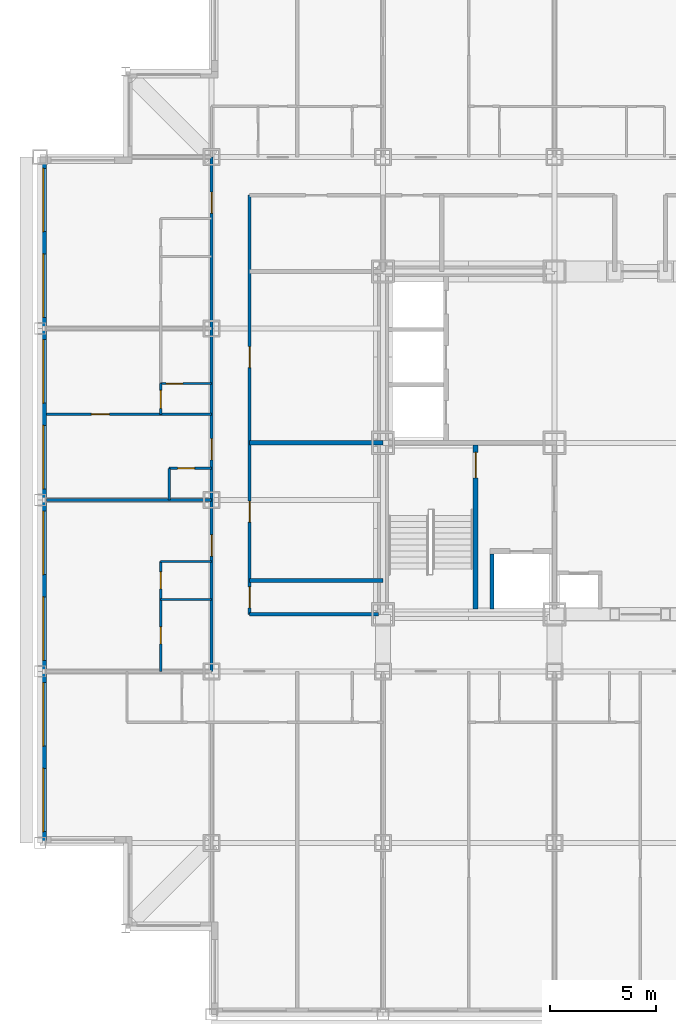
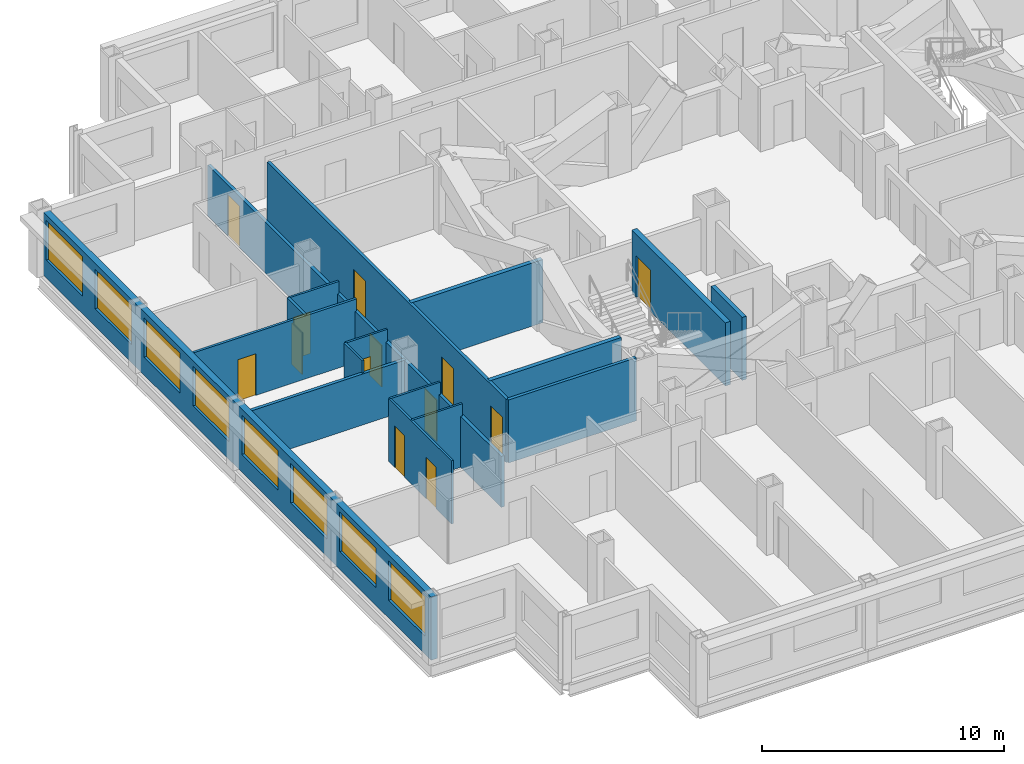
# One storey, part 5 of 13: 17 walls, 13 doors, 8 windows, 21 openings.
"""IFC4 building model written with IfcOpenShell, lengths in metres."""

from ifc_helpers import new_model, si_unit, direction, frame, frame_2d, origin, place, context, subcontext, project, spatial, rectangle, extrude, material, layer, layer_set, type_object, element, fill, save


model = new_model("IFC4")

# Units and contexts
model_context = context("Model", 3, precision=1e-05, world=origin(), true_north=direction((0.0, 1.0)))
body_context = subcontext(model_context, "Body", "Model", "MODEL_VIEW")
ifc_project = project(units=[si_unit("LENGTHUNIT", "METRE"), si_unit("AREAUNIT", "SQUARE_METRE"), si_unit("VOLUMEUNIT", "CUBIC_METRE"), si_unit("PLANEANGLEUNIT", "RADIAN"), si_unit("MASSUNIT", "GRAM", prefix="KILO")], contexts=[model_context])

# Site, building, storey
site_placement = place(None, origin())
site = spatial("IfcSite", under=ifc_project, at=site_placement, CompositionType="ELEMENT")
building_placement = place(site_placement, origin())
building = spatial("IfcBuilding", under=site, at=building_placement, Name="Kopane Lantern Tower", CompositionType="ELEMENT")
storey_placement = place(building_placement, frame((0.0, 0.0, 130.60009765625)))
storey = spatial("IfcBuildingStorey", under=building, at=storey_placement, Name="L33", CompositionType="ELEMENT", Elevation=130.60009765625)

# Wall, opening, door
ifc_material_1 = material(Name="Gypsum board on steel studs", Category="steel")
ifc_layer_1 = layer(ifc_material_1, 0.1201171875)
ifc_layer_set_1 = layer_set([ifc_layer_1], Name="APARTMENT INTERNAL WALL 120")
wall_type_1 = type_object("IfcWallType", Name="APARTMENT INTERNAL WALL 120", PredefinedType="PARTITIONING", material=ifc_layer_set_1)
wall_1_placement = place(storey_placement, frame((8.10009765625, 33.75, 0.0), z_axis=(0.0, 0.0, 1.0), x_axis=(-1.0, 0.0, 0.0)))
wall_1 = element("IfcWall", 1, at=wall_1_placement, inside=storey, type_object=wall_type_1, Name="Apartment Internal Wall 120 L33", PredefinedType="PARTITIONING", context=body_context, shape_type="SweptSolid", body=[
    extrude(rectangle(XDim=7.800048828125, YDim=0.1201171875, at=frame_2d((3.89990234375, 0.0))), origin(), (0.0, 0.0, 1.0), 3.18994140625),
])
opening_1_placement = place(wall_1_placement, frame((4.824951171875, 0.0, 0.0)))
opening_1 = element("IfcOpeningElement", 2, at=opening_1_placement, cuts=wall_1, Name="Opening L33-049", PredefinedType="OPENING", context=body_context, shape_type="SweptSolid", body=[
    extrude(rectangle(XDim=0.85009765625, YDim=2.10009765625, at=frame_2d((0.425048828125, 1.050048828125))), frame((0.0, 0.070068359375, 0.0), z_axis=(0.0, -1.0, 0.0), x_axis=(1.0, 0.0, 0.0)), (0.0, 0.0, 1.0), 0.14013671875),
])
ifc_material_2 = material(Name="Timber door set", Category="wood")
door_type_1 = type_object("IfcDoorType", Name="DOOR D4 850x2100", OperationType="SINGLE_SWING_LEFT", PredefinedType="DOOR", material=ifc_material_2)
door_1_placement = place(opening_1_placement, origin())
door_1 = element("IfcDoor", 3, at=door_1_placement, inside=storey, type_object=door_type_1, Name="Door L33-049", OperationType="SINGLE_SWING_RIGHT", OverallHeight=2.10009765625, OverallWidth=0.85009765625, PredefinedType="DOOR", context=body_context, shape_type="SweptSolid", body=[
    extrude(rectangle(XDim=0.85009765625, YDim=2.10009765625, at=frame_2d((0.425048828125, 1.050048828125))), frame((0.0, 0.02490234375, 0.0), z_axis=(0.0, -1.0, 0.0), x_axis=(1.0, 0.0, 0.0)), (0.0, 0.0, 1.0), 0.050048828125),
])
fill(opening_1, door_1)

wall_2_placement = place(storey_placement, frame((5.699951171875, 33.75, 0.0), z_axis=(0.0, 0.0, 1.0), x_axis=(0.0, 1.0, 0.0)))
wall_2 = element("IfcWall", 4, at=wall_2_placement, inside=storey, type_object=wall_type_1, Name="Apartment Internal Wall 120 L33", PredefinedType="PARTITIONING", context=body_context, shape_type="SweptSolid", body=[
    extrude(rectangle(XDim=1.4599609375, YDim=0.1201171875, at=frame_2d((0.72998046875, 0.0))), origin(), (0.0, 0.0, 1.0), 3.18994140625),
])
opening_2_placement = place(wall_2_placement, frame((0.27490234375, 0.0, 0.0)))
opening_2 = element("IfcOpeningElement", 5, at=opening_2_placement, cuts=wall_2, Name="Opening L33-085", PredefinedType="OPENING", context=body_context, shape_type="SweptSolid", body=[
    extrude(rectangle(XDim=0.85009765625, YDim=2.10009765625, at=frame_2d((0.425048828125, 1.050048828125))), frame((0.0, 0.070068359375, 0.0), z_axis=(0.0, -1.0, 0.0), x_axis=(1.0, 0.0, 0.0)), (0.0, 0.0, 1.0), 0.14013671875),
])
door_2_placement = place(opening_2_placement, origin())
door_2 = element("IfcDoor", 6, at=door_2_placement, inside=storey, type_object=door_type_1, Name="Door L33-085", OperationType="SINGLE_SWING_LEFT", OverallHeight=2.10009765625, OverallWidth=0.85009765625, PredefinedType="DOOR", context=body_context, shape_type="SweptSolid", body=[
    extrude(rectangle(XDim=0.85009765625, YDim=2.10009765625, at=frame_2d((0.425048828125, 1.050048828125))), frame((0.0, 0.02490234375, 0.0), z_axis=(0.0, -1.0, 0.0), x_axis=(1.0, 0.0, 0.0)), (0.0, 0.0, 1.0), 0.050048828125),
])
fill(opening_2, door_2)

# Wall, openings, doors
ifc_material_3 = material(Name="Moisture-resistant board on steel studs", Category="steel")
ifc_layer_2 = layer(ifc_material_3, 0.10009765625)
ifc_layer_set_2 = layer_set([ifc_layer_2], Name="BATHROOM WALL 100")
wall_type_2 = type_object("IfcWallType", Name="BATHROOM WALL 100", PredefinedType="PARTITIONING", material=ifc_layer_set_2)
wall_3_placement = place(storey_placement, frame((5.699951171875, 21.60009765625, 0.0), z_axis=(0.0, 0.0, 1.0), x_axis=(0.0, 1.0, 0.0)))
wall_3 = element("IfcWall", 7, at=wall_3_placement, inside=storey, type_object=wall_type_2, Name="Bathroom Wall 100 L33", PredefinedType="PARTITIONING", context=body_context, shape_type="SweptSolid", body=[
    extrude(rectangle(XDim=5.199951171875, YDim=0.10009765625, at=frame_2d((2.60009765625, 0.0))), origin(), (0.0, 0.0, 1.0), 3.18994140625),
])
opening_3_placement = place(wall_3_placement, frame((1.300048828125, 0.0, 0.0)))
opening_3 = element("IfcOpeningElement", 8, at=opening_3_placement, cuts=wall_3, Name="Opening L33-043", PredefinedType="OPENING", context=body_context, shape_type="SweptSolid", body=[
    extrude(rectangle(XDim=0.800048828125, YDim=2.10009765625, at=frame_2d((0.39990234375, 1.050048828125))), frame((0.0, 0.06005859375, 0.0), z_axis=(0.0, -1.0, 0.0), x_axis=(1.0, 0.0, 0.0)), (0.0, 0.0, 1.0), 0.1201171875),
])
opening_4_placement = place(wall_3_placement, frame((3.89990234375, 0.0, 0.0)))
opening_4 = element("IfcOpeningElement", 9, at=opening_4_placement, cuts=wall_3, Name="Opening L33-044", PredefinedType="OPENING", context=body_context, shape_type="SweptSolid", body=[
    extrude(rectangle(XDim=0.800048828125, YDim=2.10009765625, at=frame_2d((0.39990234375, 1.050048828125))), frame((0.0, 0.06005859375, 0.0), z_axis=(0.0, -1.0, 0.0), x_axis=(1.0, 0.0, 0.0)), (0.0, 0.0, 1.0), 0.1201171875),
])
ifc_material_4 = material(Name="Timber door set", Category="wood")
door_type_2 = type_object("IfcDoorType", Name="DOOR D2 800x2100", OperationType="SINGLE_SWING_LEFT", PredefinedType="DOOR", material=ifc_material_4)
door_3_placement = place(opening_3_placement, origin())
door_3 = element("IfcDoor", 10, at=door_3_placement, inside=storey, type_object=door_type_2, Name="Door L33-043", OperationType="SINGLE_SWING_LEFT", OverallHeight=2.10009765625, OverallWidth=0.800048828125, PredefinedType="DOOR", context=body_context, shape_type="SweptSolid", body=[
    extrude(rectangle(XDim=0.800048828125, YDim=2.10009765625, at=frame_2d((0.39990234375, 1.050048828125))), frame((0.0, 0.02490234375, 0.0), z_axis=(0.0, -1.0, 0.0), x_axis=(1.0, 0.0, 0.0)), (0.0, 0.0, 1.0), 0.050048828125),
])
fill(opening_3, door_3)
door_4_placement = place(opening_4_placement, origin())
door_4 = element("IfcDoor", 11, at=door_4_placement, inside=storey, type_object=door_type_2, Name="Door L33-044", OperationType="SINGLE_SWING_LEFT", OverallHeight=2.10009765625, OverallWidth=0.800048828125, PredefinedType="DOOR", context=body_context, shape_type="SweptSolid", body=[
    extrude(rectangle(XDim=0.800048828125, YDim=2.10009765625, at=frame_2d((0.39990234375, 1.050048828125))), frame((0.0, 0.02490234375, 0.0), z_axis=(0.0, -1.0, 0.0), x_axis=(1.0, 0.0, 0.0)), (0.0, 0.0, 1.0), 0.050048828125),
])
fill(opening_4, door_4)

# Walls
for number, where, z_axis, x_axis, name in (
    (12, (8.10009765625, 25.0, 0.0), (0.0, 0.0, 1.0), (-1.0, 0.0, 0.0), "Bathroom Wall 100 L33"),
    (13, (8.10009765625, 26.800048828125, 0.0), (0.0, 0.0, 1.0), (-1.0, 0.0, 0.0), "Bathroom Wall 100 L33"),
):
    element("IfcWall", number, at=place(storey_placement, frame(where, z_axis=z_axis, x_axis=x_axis)), inside=storey, type_object=wall_type_2, Name=name, PredefinedType="PARTITIONING", context=body_context, shape_type="SweptSolid", body=[
        extrude(rectangle(XDim=2.400146484375, YDim=0.10009765625, at=frame_2d((1.2001953125, 0.0))), origin(), (0.0, 0.0, 1.0), 3.18994140625),
    ])
wall_4_placement = place(storey_placement, frame((6.10009765625, 29.699951171875, 0.0), z_axis=(0.0, 0.0, 1.0), x_axis=(0.0, 1.0, 0.0)))
element("IfcWall", 14, at=wall_4_placement, inside=storey, type_object=wall_type_2, Name="Bathroom Wall 100 L33", PredefinedType="PARTITIONING", context=body_context, shape_type="SweptSolid", body=[
    extrude(rectangle(XDim=1.5, YDim=0.10009765625, at=frame_2d((0.75, 0.0))), origin(), (0.0, 0.0, 1.0), 3.18994140625),
])

# Wall, opening, door
wall_5_placement = place(storey_placement, frame((8.10009765625, 31.199951171875, 0.0), z_axis=(0.0, 0.0, 1.0), x_axis=(-1.0, 0.0, 0.0)))
wall_5 = element("IfcWall", 15, at=wall_5_placement, inside=storey, type_object=wall_type_2, Name="Bathroom Wall 100 L33", PredefinedType="PARTITIONING", context=body_context, shape_type="SweptSolid", body=[
    extrude(rectangle(XDim=2.0, YDim=0.10009765625, at=frame_2d((1.0, 0.0))), origin(), (0.0, 0.0, 1.0), 3.18994140625),
])
opening_5_placement = place(wall_5_placement, frame((0.800048828125, 0.0, 0.0)))
opening_5 = element("IfcOpeningElement", 16, at=opening_5_placement, cuts=wall_5, Name="Opening L33-046", PredefinedType="OPENING", context=body_context, shape_type="SweptSolid", body=[
    extrude(rectangle(XDim=0.800048828125, YDim=2.10009765625, at=frame_2d((0.39990234375, 1.050048828125))), frame((0.0, 0.06005859375, 0.0), z_axis=(0.0, -1.0, 0.0), x_axis=(1.0, 0.0, 0.0)), (0.0, 0.0, 1.0), 0.1201171875),
])
door_5_placement = place(opening_5_placement, origin())
door_5 = element("IfcDoor", 17, at=door_5_placement, inside=storey, type_object=door_type_2, Name="Door L33-046", OperationType="SINGLE_SWING_RIGHT", OverallHeight=2.10009765625, OverallWidth=0.800048828125, PredefinedType="DOOR", context=body_context, shape_type="SweptSolid", body=[
    extrude(rectangle(XDim=0.800048828125, YDim=2.10009765625, at=frame_2d((0.39990234375, 1.050048828125))), frame((0.0, 0.02490234375, 0.0), z_axis=(0.0, -1.0, 0.0), x_axis=(1.0, 0.0, 0.0)), (0.0, 0.0, 1.0), 0.050048828125),
])
fill(opening_5, door_5)

wall_6_placement = place(storey_placement, frame((8.10009765625, 35.199951171875, 0.0), z_axis=(0.0, 0.0, 1.0), x_axis=(-1.0, 0.0, 0.0)))
wall_6 = element("IfcWall", 18, at=wall_6_placement, inside=storey, type_object=wall_type_2, Name="Bathroom Wall 100 L33", PredefinedType="PARTITIONING", context=body_context, shape_type="SweptSolid", body=[
    extrude(rectangle(XDim=2.400146484375, YDim=0.10009765625, at=frame_2d((1.2001953125, 0.0))), origin(), (0.0, 0.0, 1.0), 3.18994140625),
])
opening_6_placement = place(wall_6_placement, frame((1.35009765625, 0.0, 0.0)))
opening_6 = element("IfcOpeningElement", 19, at=opening_6_placement, cuts=wall_6, Name="Opening L33-048", PredefinedType="OPENING", context=body_context, shape_type="SweptSolid", body=[
    extrude(rectangle(XDim=0.800048828125, YDim=2.10009765625, at=frame_2d((0.39990234375, 1.050048828125))), frame((0.0, 0.06005859375, 0.0), z_axis=(0.0, -1.0, 0.0), x_axis=(1.0, 0.0, 0.0)), (0.0, 0.0, 1.0), 0.1201171875),
])
door_6_placement = place(opening_6_placement, origin())
door_6 = element("IfcDoor", 20, at=door_6_placement, inside=storey, type_object=door_type_2, Name="Door L33-048", OperationType="SINGLE_SWING_RIGHT", OverallHeight=2.10009765625, OverallWidth=0.800048828125, PredefinedType="DOOR", context=body_context, shape_type="SweptSolid", body=[
    extrude(rectangle(XDim=0.800048828125, YDim=2.10009765625, at=frame_2d((0.39990234375, 1.050048828125))), frame((0.0, 0.02490234375, 0.0), z_axis=(0.0, -1.0, 0.0), x_axis=(1.0, 0.0, 0.0)), (0.0, 0.0, 1.0), 0.050048828125),
])
fill(opening_6, door_6)

ifc_material_5 = material(Name="Gypsum shaft wall EI 120", Category="gypsum")
ifc_layer_3 = layer(ifc_material_5, 0.25)
ifc_layer_set_3 = layer_set([ifc_layer_3], Name="CORE SHAFT WALL 250 EI 120")
wall_type_3 = type_object("IfcWallType", Name="CORE SHAFT WALL 250 EI 120", PredefinedType="SOLIDWALL", material=ifc_layer_set_3)
wall_7_placement = place(storey_placement, frame((20.574951171875, 24.550048828125, 0.0), z_axis=(0.0, 0.0, 1.0), x_axis=(0.0, 1.0, 0.0)))
wall_7 = element("IfcWall", 21, at=wall_7_placement, inside=storey, type_object=wall_type_3, Name="Core shaft wall L33 XST1", PredefinedType="SOLIDWALL", context=body_context, shape_type="SweptSolid", body=[
    extrude(rectangle(XDim=7.75, YDim=0.25, at=frame_2d((3.875, 0.0))), origin(), (0.0, 0.0, 1.0), 3.18994140625),
])
opening_7_placement = place(wall_7_placement, frame((6.199951171875, 0.0, 0.0)))
opening_7 = element("IfcOpeningElement", 22, at=opening_7_placement, cuts=wall_7, Name="Opening 33.SD1", PredefinedType="OPENING", context=body_context, shape_type="SweptSolid", body=[
    extrude(rectangle(XDim=1.199951171875, YDim=2.10009765625, at=frame_2d((0.60009765625, 1.050048828125))), frame((0.0, 0.135009765625, 0.0), z_axis=(0.0, -1.0, 0.0), x_axis=(1.0, 0.0, 0.0)), (0.0, 0.0, 1.0), 0.27001953125),
])
ifc_material_6 = material(Name="Steel door set", Category="steel")
door_type_3 = type_object("IfcDoorType", Name="STAIR DOOR 1200x2100 FD60S", OperationType="SINGLE_SWING_LEFT", PredefinedType="DOOR", material=ifc_material_6)
door_7_placement = place(opening_7_placement, origin())
door_7 = element("IfcDoor", 23, at=door_7_placement, inside=storey, type_object=door_type_3, Name="Stair door ST1 L33", OperationType="SINGLE_SWING_LEFT", OverallHeight=2.10009765625, OverallWidth=1.199951171875, PredefinedType="DOOR", context=body_context, shape_type="SweptSolid", body=[
    extrude(rectangle(XDim=1.199951171875, YDim=2.10009765625, at=frame_2d((0.60009765625, 1.050048828125))), frame((0.0, 0.02490234375, 0.0), z_axis=(0.0, -1.0, 0.0), x_axis=(1.0, 0.0, 0.0)), (0.0, 0.0, 1.0), 0.050048828125),
])
fill(opening_7, door_7)

# Wall, openings, doors
ifc_material_7 = material(Name="Gypsum board on steel studs", Category="steel")
ifc_layer_4 = layer(ifc_material_7, 0.14990234375)
ifc_layer_set_4 = layer_set([ifc_layer_4], Name="CORRIDOR WALL 150 EI 60")
wall_type_4 = type_object("IfcWallType", Name="CORRIDOR WALL 150 EI 60", PredefinedType="PARTITIONING", material=ifc_layer_set_4)
wall_8_placement = place(storey_placement, frame((8.10009765625, 21.60009765625, 0.0), z_axis=(0.0, 0.0, 1.0), x_axis=(0.0, 1.0, 0.0)))
wall_8 = element("IfcWall", 24, at=wall_8_placement, inside=storey, type_object=wall_type_4, Name="Corridor Wall 150 Ei 60 L33", PredefinedType="PARTITIONING", context=body_context, shape_type="SweptSolid", body=[
    extrude(rectangle(XDim=24.2998046875, YDim=0.14990234375, at=frame_2d((12.14990234375, 0.0))), origin(), (0.0, 0.0, 1.0), 2.57763671875),
])
opening_8_placement = place(wall_8_placement, frame((5.449951171875, 0.0, 0.0)))
opening_8 = element("IfcOpeningElement", 25, at=opening_8_placement, cuts=wall_8, Name="Opening L33-045", PredefinedType="OPENING", context=body_context, shape_type="SweptSolid", body=[
    extrude(rectangle(XDim=1.0, YDim=2.10009765625, at=frame_2d((0.5, 1.050048828125))), frame((0.0, 0.0849609375, 0.0), z_axis=(0.0, -1.0, 0.0), x_axis=(1.0, 0.0, 0.0)), (0.0, 0.0, 1.0), 0.169921875),
])
opening_9_placement = place(wall_8_placement, frame((10.0, 0.0, 0.0)))
opening_9 = element("IfcOpeningElement", 26, at=opening_9_placement, cuts=wall_8, Name="Opening L33-047", PredefinedType="OPENING", context=body_context, shape_type="SweptSolid", body=[
    extrude(rectangle(XDim=1.0, YDim=2.10009765625, at=frame_2d((0.5, 1.050048828125))), frame((0.0, 0.0849609375, 0.0), z_axis=(0.0, -1.0, 0.0), x_axis=(1.0, 0.0, 0.0)), (0.0, 0.0, 1.0), 0.169921875),
])
opening_10_placement = place(wall_8_placement, frame((21.64990234375, 0.0, 0.0)))
opening_10 = element("IfcOpeningElement", 27, at=opening_10_placement, cuts=wall_8, Name="Opening L33-052", PredefinedType="OPENING", context=body_context, shape_type="SweptSolid", body=[
    extrude(rectangle(XDim=1.0, YDim=2.10009765625, at=frame_2d((0.5, 1.050048828125))), frame((0.0, 0.0849609375, 0.0), z_axis=(0.0, -1.0, 0.0), x_axis=(1.0, 0.0, 0.0)), (0.0, 0.0, 1.0), 0.169921875),
])
ifc_material_8 = material(Name="Steel door set", Category="steel")
door_type_4 = type_object("IfcDoorType", Name="DOOR D1 1000x2100 FD30S", OperationType="SINGLE_SWING_LEFT", PredefinedType="DOOR", material=ifc_material_8)
door_8_placement = place(opening_8_placement, origin())
door_8 = element("IfcDoor", 28, at=door_8_placement, inside=storey, type_object=door_type_4, Name="Door L33-045", OperationType="SINGLE_SWING_LEFT", OverallHeight=2.10009765625, OverallWidth=1.0, PredefinedType="DOOR", context=body_context, shape_type="SweptSolid", body=[
    extrude(rectangle(XDim=1.0, YDim=2.10009765625, at=frame_2d((0.5, 1.050048828125))), frame((0.0, 0.02490234375, 0.0), z_axis=(0.0, -1.0, 0.0), x_axis=(1.0, 0.0, 0.0)), (0.0, 0.0, 1.0), 0.050048828125),
])
fill(opening_8, door_8)
door_9_placement = place(opening_9_placement, origin())
door_9 = element("IfcDoor", 29, at=door_9_placement, inside=storey, type_object=door_type_4, Name="Door L33-047", OperationType="SINGLE_SWING_LEFT", OverallHeight=2.10009765625, OverallWidth=1.0, PredefinedType="DOOR", context=body_context, shape_type="SweptSolid", body=[
    extrude(rectangle(XDim=1.0, YDim=2.10009765625, at=frame_2d((0.5, 1.050048828125))), frame((0.0, 0.02490234375, 0.0), z_axis=(0.0, -1.0, 0.0), x_axis=(1.0, 0.0, 0.0)), (0.0, 0.0, 1.0), 0.050048828125),
])
fill(opening_9, door_9)
door_10_placement = place(opening_10_placement, origin())
door_10 = element("IfcDoor", 30, at=door_10_placement, inside=storey, type_object=door_type_4, Name="Door L33-052", OperationType="SINGLE_SWING_LEFT", OverallHeight=2.10009765625, OverallWidth=1.0, PredefinedType="DOOR", context=body_context, shape_type="SweptSolid", body=[
    extrude(rectangle(XDim=1.0, YDim=2.10009765625, at=frame_2d((0.5, 1.050048828125))), frame((0.0, 0.02490234375, 0.0), z_axis=(0.0, -1.0, 0.0), x_axis=(1.0, 0.0, 0.0)), (0.0, 0.0, 1.0), 0.050048828125),
])
fill(opening_10, door_10)

wall_9_placement = place(storey_placement, frame((9.89990234375, 44.10009765625, 0.0), z_axis=(0.0, 0.0, 1.0), x_axis=(0.0, -1.0, 0.0)))
wall_9 = element("IfcWall", 31, at=wall_9_placement, inside=storey, type_object=wall_type_4, Name="Corridor Wall 150 Ei 60 L33", PredefinedType="PARTITIONING", context=body_context, shape_type="SweptSolid", body=[
    extrude(rectangle(XDim=19.800048828125, YDim=0.14990234375, at=frame_2d((9.89990234375, 0.0))), origin(), (0.0, 0.0, 1.0), 3.18994140625),
])
opening_11_placement = place(wall_9_placement, frame((18.5, 0.0, 0.0)))
opening_11 = element("IfcOpeningElement", 32, at=opening_11_placement, cuts=wall_9, Name="Opening L33-001", PredefinedType="OPENING", context=body_context, shape_type="SweptSolid", body=[
    extrude(rectangle(XDim=1.0, YDim=2.10009765625, at=frame_2d((0.5, 1.050048828125))), frame((0.0, 0.0849609375, 0.0), z_axis=(0.0, -1.0, 0.0), x_axis=(1.0, 0.0, 0.0)), (0.0, 0.0, 1.0), 0.169921875),
])
opening_12_placement = place(wall_9_placement, frame((14.449951171875, 0.0, 0.0)))
opening_12 = element("IfcOpeningElement", 33, at=opening_12_placement, cuts=wall_9, Name="Opening L33-002", PredefinedType="OPENING", context=body_context, shape_type="SweptSolid", body=[
    extrude(rectangle(XDim=1.0, YDim=2.10009765625, at=frame_2d((0.5, 1.050048828125))), frame((0.0, 0.0849609375, 0.0), z_axis=(0.0, -1.0, 0.0), x_axis=(1.0, 0.0, 0.0)), (0.0, 0.0, 1.0), 0.169921875),
])
opening_13_placement = place(wall_9_placement, frame((7.14990234375, 0.0, 0.0)))
opening_13 = element("IfcOpeningElement", 34, at=opening_13_placement, cuts=wall_9, Name="Opening L33-003", PredefinedType="OPENING", context=body_context, shape_type="SweptSolid", body=[
    extrude(rectangle(XDim=1.0, YDim=2.10009765625, at=frame_2d((0.5, 1.050048828125))), frame((0.0, 0.0849609375, 0.0), z_axis=(0.0, -1.0, 0.0), x_axis=(1.0, 0.0, 0.0)), (0.0, 0.0, 1.0), 0.169921875),
])
ifc_material_9 = material(Name="Steel door set", Category="steel")
door_type_5 = type_object("IfcDoorType", Name="DOOR D5 1000x2100 FD60", OperationType="SINGLE_SWING_LEFT", PredefinedType="DOOR", material=ifc_material_9)
door_11_placement = place(opening_11_placement, origin())
door_11 = element("IfcDoor", 35, at=door_11_placement, inside=storey, type_object=door_type_5, Name="Door L33-001", OperationType="SINGLE_SWING_LEFT", OverallHeight=2.10009765625, OverallWidth=1.0, PredefinedType="DOOR", context=body_context, shape_type="SweptSolid", body=[
    extrude(rectangle(XDim=1.0, YDim=2.10009765625, at=frame_2d((0.5, 1.050048828125))), frame((0.0, 0.02490234375, 0.0), z_axis=(0.0, -1.0, 0.0), x_axis=(1.0, 0.0, 0.0)), (0.0, 0.0, 1.0), 0.050048828125),
])
fill(opening_11, door_11)
door_12_placement = place(opening_12_placement, origin())
door_12 = element("IfcDoor", 36, at=door_12_placement, inside=storey, type_object=door_type_5, Name="Door L33-002", OperationType="SINGLE_SWING_RIGHT", OverallHeight=2.10009765625, OverallWidth=1.0, PredefinedType="DOOR", context=body_context, shape_type="SweptSolid", body=[
    extrude(rectangle(XDim=1.0, YDim=2.10009765625, at=frame_2d((0.5, 1.050048828125))), frame((0.0, 0.02490234375, 0.0), z_axis=(0.0, -1.0, 0.0), x_axis=(1.0, 0.0, 0.0)), (0.0, 0.0, 1.0), 0.050048828125),
])
fill(opening_12, door_12)
door_13_placement = place(opening_13_placement, origin())
door_13 = element("IfcDoor", 37, at=door_13_placement, inside=storey, type_object=door_type_5, Name="Door L33-003", OperationType="SINGLE_SWING_LEFT", OverallHeight=2.10009765625, OverallWidth=1.0, PredefinedType="DOOR", context=body_context, shape_type="SweptSolid", body=[
    extrude(rectangle(XDim=1.0, YDim=2.10009765625, at=frame_2d((0.5, 1.050048828125))), frame((0.0, 0.02490234375, 0.0), z_axis=(0.0, -1.0, 0.0), x_axis=(1.0, 0.0, 0.0)), (0.0, 0.0, 1.0), 0.050048828125),
])
fill(opening_13, door_13)

# Walls
wall_10_placement = place(storey_placement, frame((9.89990234375, 24.300048828125, 0.0), z_axis=(0.0, 0.0, 1.0), x_axis=(1.0, 0.0, 0.0)))
element("IfcWall", 38, at=wall_10_placement, inside=storey, type_object=wall_type_4, Name="Corridor Wall 150 Ei 60 L33", PredefinedType="PARTITIONING", context=body_context, shape_type="SweptSolid", body=[
    extrude(rectangle(XDim=6.10009765625, YDim=0.14990234375, at=frame_2d((3.050048828125, 0.0))), origin(), (0.0, 0.0, 1.0), 3.18994140625),
])
ifc_material_10 = material(Name="Gypsum board on steel studs", Category="steel")
ifc_layer_5 = layer(ifc_material_10, 0.14990234375)
ifc_layer_set_5 = layer_set([ifc_layer_5], Name="DEMISING WALL 150 EI 60")
wall_type_5 = type_object("IfcWallType", Name="DEMISING WALL 150 EI 60", PredefinedType="PARTITIONING", material=ifc_layer_set_5)
wall_11_placement = place(storey_placement, frame((8.10009765625, 29.699951171875, 0.0), z_axis=(0.0, 0.0, 1.0), x_axis=(-1.0, 0.0, 0.0)))
element("IfcWall", 39, at=wall_11_placement, inside=storey, type_object=wall_type_5, Name="Demising Wall 150 Ei 60 L33", PredefinedType="PARTITIONING", context=body_context, shape_type="SweptSolid", body=[
    extrude(rectangle(XDim=7.800048828125, YDim=0.14990234375, at=frame_2d((3.89990234375, 0.0))), origin(), (0.0, 0.0, 1.0), 2.57763671875),
])

# Wall, openings, windows
ifc_material_11 = material(Name="Terracotta rainscreen on light steel framing", Category="masonry")
ifc_layer_6 = layer(ifc_material_11, 0.300048828125)
ifc_layer_set_6 = layer_set([ifc_layer_6], Name="EXTERNAL WALL EW1 300 TERRACOTTA")
wall_type_6 = type_object("IfcWallType", Name="EXTERNAL WALL EW1 300 TERRACOTTA", PredefinedType="SOLIDWALL", material=ifc_layer_set_6)
wall_12_placement = place(storey_placement, frame((0.14990234375, 45.60009765625, 0.0), z_axis=(0.0, 0.0, 1.0), x_axis=(0.0, -1.0, 0.0)))
wall_12 = element("IfcWall", 40, at=wall_12_placement, inside=storey, type_object=wall_type_6, Name="External wall W L33", PredefinedType="SOLIDWALL", context=body_context, shape_type="SweptSolid", body=[
    extrude(rectangle(XDim=32.10009765625, YDim=0.300048828125, at=frame_2d((16.050048828125, 0.0))), origin(), (0.0, 0.0, 1.0), 3.18994140625),
])
opening_14_placement = place(wall_12_placement, frame((0.22509765625, 0.0, 0.89990234375)))
opening_14 = element("IfcOpeningElement", 41, at=opening_14_placement, cuts=wall_12, Name="Opening WR300200", PredefinedType="OPENING", context=body_context, shape_type="SweptSolid", body=[
    extrude(rectangle(XDim=3.0, YDim=2.0, at=frame_2d((1.5, 1.0))), frame((0.0, 0.159912109375, 0.0), z_axis=(0.0, -1.0, 0.0), x_axis=(1.0, 0.0, 0.0)), (0.0, 0.0, 1.0), 0.320068359375),
])
opening_15_placement = place(wall_12_placement, frame((4.27490234375, 0.0, 0.89990234375)))
opening_15 = element("IfcOpeningElement", 42, at=opening_15_placement, cuts=wall_12, Name="Opening WR300200", PredefinedType="OPENING", context=body_context, shape_type="SweptSolid", body=[
    extrude(rectangle(XDim=3.0, YDim=2.0, at=frame_2d((1.5, 1.0))), frame((0.0, 0.159912109375, 0.0), z_axis=(0.0, -1.0, 0.0), x_axis=(1.0, 0.0, 0.0)), (0.0, 0.0, 1.0), 0.320068359375),
])
opening_16_placement = place(wall_12_placement, frame((8.324951171875, 0.0, 0.89990234375)))
opening_16 = element("IfcOpeningElement", 43, at=opening_16_placement, cuts=wall_12, Name="Opening WR300200", PredefinedType="OPENING", context=body_context, shape_type="SweptSolid", body=[
    extrude(rectangle(XDim=3.0, YDim=2.0, at=frame_2d((1.5, 1.0))), frame((0.0, 0.159912109375, 0.0), z_axis=(0.0, -1.0, 0.0), x_axis=(1.0, 0.0, 0.0)), (0.0, 0.0, 1.0), 0.320068359375),
])
opening_17_placement = place(wall_12_placement, frame((12.375, 0.0, 0.89990234375)))
opening_17 = element("IfcOpeningElement", 44, at=opening_17_placement, cuts=wall_12, Name="Opening WR300200", PredefinedType="OPENING", context=body_context, shape_type="SweptSolid", body=[
    extrude(rectangle(XDim=3.0, YDim=2.0, at=frame_2d((1.5, 1.0))), frame((0.0, 0.159912109375, 0.0), z_axis=(0.0, -1.0, 0.0), x_axis=(1.0, 0.0, 0.0)), (0.0, 0.0, 1.0), 0.320068359375),
])
opening_18_placement = place(wall_12_placement, frame((16.425048828125, 0.0, 0.89990234375)))
opening_18 = element("IfcOpeningElement", 45, at=opening_18_placement, cuts=wall_12, Name="Opening WR300200", PredefinedType="OPENING", context=body_context, shape_type="SweptSolid", body=[
    extrude(rectangle(XDim=3.0, YDim=2.0, at=frame_2d((1.5, 1.0))), frame((0.0, 0.159912109375, 0.0), z_axis=(0.0, -1.0, 0.0), x_axis=(1.0, 0.0, 0.0)), (0.0, 0.0, 1.0), 0.320068359375),
])
opening_19_placement = place(wall_12_placement, frame((20.47509765625, 0.0, 0.89990234375)))
opening_19 = element("IfcOpeningElement", 46, at=opening_19_placement, cuts=wall_12, Name="Opening WR300200", PredefinedType="OPENING", context=body_context, shape_type="SweptSolid", body=[
    extrude(rectangle(XDim=3.0, YDim=2.0, at=frame_2d((1.5, 1.0))), frame((0.0, 0.159912109375, 0.0), z_axis=(0.0, -1.0, 0.0), x_axis=(1.0, 0.0, 0.0)), (0.0, 0.0, 1.0), 0.320068359375),
])
opening_20_placement = place(wall_12_placement, frame((24.52490234375, 0.0, 0.89990234375)))
opening_20 = element("IfcOpeningElement", 47, at=opening_20_placement, cuts=wall_12, Name="Opening WR300200", PredefinedType="OPENING", context=body_context, shape_type="SweptSolid", body=[
    extrude(rectangle(XDim=3.0, YDim=2.0, at=frame_2d((1.5, 1.0))), frame((0.0, 0.159912109375, 0.0), z_axis=(0.0, -1.0, 0.0), x_axis=(1.0, 0.0, 0.0)), (0.0, 0.0, 1.0), 0.320068359375),
])
opening_21_placement = place(wall_12_placement, frame((28.574951171875, 0.0, 0.89990234375)))
opening_21 = element("IfcOpeningElement", 48, at=opening_21_placement, cuts=wall_12, Name="Opening WR300200", PredefinedType="OPENING", context=body_context, shape_type="SweptSolid", body=[
    extrude(rectangle(XDim=3.0, YDim=2.0, at=frame_2d((1.5, 1.0))), frame((0.0, 0.159912109375, 0.0), z_axis=(0.0, -1.0, 0.0), x_axis=(1.0, 0.0, 0.0)), (0.0, 0.0, 1.0), 0.320068359375),
])
ifc_material_12 = material(Name="Aluminium and clear glass", Category="aluminium")
window_type = type_object("IfcWindowType", Name="RIBBON WINDOW WR300200 3000x2000", PartitioningType="SINGLE_PANEL", PredefinedType="WINDOW", material=ifc_material_12)
window_1_placement = place(opening_14_placement, origin())
window_1 = element("IfcWindow", 49, at=window_1_placement, inside=storey, type_object=window_type, Name="Window W L33", OverallHeight=2.0, OverallWidth=3.0, PartitioningType="SINGLE_PANEL", PredefinedType="WINDOW", context=body_context, shape_type="SweptSolid", body=[
    extrude(rectangle(XDim=3.0, YDim=2.0, at=frame_2d((1.5, 1.0))), frame((0.0, 0.030029296875, 0.0), z_axis=(0.0, -1.0, 0.0), x_axis=(1.0, 0.0, 0.0)), (0.0, 0.0, 1.0), 0.06005859375),
])
fill(opening_14, window_1)
window_2_placement = place(opening_15_placement, origin())
window_2 = element("IfcWindow", 50, at=window_2_placement, inside=storey, type_object=window_type, Name="Window W L33", OverallHeight=2.0, OverallWidth=3.0, PartitioningType="SINGLE_PANEL", PredefinedType="WINDOW", context=body_context, shape_type="SweptSolid", body=[
    extrude(rectangle(XDim=3.0, YDim=2.0, at=frame_2d((1.5, 1.0))), frame((0.0, 0.030029296875, 0.0), z_axis=(0.0, -1.0, 0.0), x_axis=(1.0, 0.0, 0.0)), (0.0, 0.0, 1.0), 0.06005859375),
])
fill(opening_15, window_2)
window_3_placement = place(opening_16_placement, origin())
window_3 = element("IfcWindow", 51, at=window_3_placement, inside=storey, type_object=window_type, Name="Window W L33", OverallHeight=2.0, OverallWidth=3.0, PartitioningType="SINGLE_PANEL", PredefinedType="WINDOW", context=body_context, shape_type="SweptSolid", body=[
    extrude(rectangle(XDim=3.0, YDim=2.0, at=frame_2d((1.5, 1.0))), frame((0.0, 0.030029296875, 0.0), z_axis=(0.0, -1.0, 0.0), x_axis=(1.0, 0.0, 0.0)), (0.0, 0.0, 1.0), 0.06005859375),
])
fill(opening_16, window_3)
window_4_placement = place(opening_17_placement, origin())
window_4 = element("IfcWindow", 52, at=window_4_placement, inside=storey, type_object=window_type, Name="Window W L33", OverallHeight=2.0, OverallWidth=3.0, PartitioningType="SINGLE_PANEL", PredefinedType="WINDOW", context=body_context, shape_type="SweptSolid", body=[
    extrude(rectangle(XDim=3.0, YDim=2.0, at=frame_2d((1.5, 1.0))), frame((0.0, 0.030029296875, 0.0), z_axis=(0.0, -1.0, 0.0), x_axis=(1.0, 0.0, 0.0)), (0.0, 0.0, 1.0), 0.06005859375),
])
fill(opening_17, window_4)
window_5_placement = place(opening_18_placement, origin())
window_5 = element("IfcWindow", 53, at=window_5_placement, inside=storey, type_object=window_type, Name="Window W L33", OverallHeight=2.0, OverallWidth=3.0, PartitioningType="SINGLE_PANEL", PredefinedType="WINDOW", context=body_context, shape_type="SweptSolid", body=[
    extrude(rectangle(XDim=3.0, YDim=2.0, at=frame_2d((1.5, 1.0))), frame((0.0, 0.030029296875, 0.0), z_axis=(0.0, -1.0, 0.0), x_axis=(1.0, 0.0, 0.0)), (0.0, 0.0, 1.0), 0.06005859375),
])
fill(opening_18, window_5)
window_6_placement = place(opening_19_placement, origin())
window_6 = element("IfcWindow", 54, at=window_6_placement, inside=storey, type_object=window_type, Name="Window W L33", OverallHeight=2.0, OverallWidth=3.0, PartitioningType="SINGLE_PANEL", PredefinedType="WINDOW", context=body_context, shape_type="SweptSolid", body=[
    extrude(rectangle(XDim=3.0, YDim=2.0, at=frame_2d((1.5, 1.0))), frame((0.0, 0.030029296875, 0.0), z_axis=(0.0, -1.0, 0.0), x_axis=(1.0, 0.0, 0.0)), (0.0, 0.0, 1.0), 0.06005859375),
])
fill(opening_19, window_6)
window_7_placement = place(opening_20_placement, origin())
window_7 = element("IfcWindow", 55, at=window_7_placement, inside=storey, type_object=window_type, Name="Window W L33", OverallHeight=2.0, OverallWidth=3.0, PartitioningType="SINGLE_PANEL", PredefinedType="WINDOW", context=body_context, shape_type="SweptSolid", body=[
    extrude(rectangle(XDim=3.0, YDim=2.0, at=frame_2d((1.5, 1.0))), frame((0.0, 0.030029296875, 0.0), z_axis=(0.0, -1.0, 0.0), x_axis=(1.0, 0.0, 0.0)), (0.0, 0.0, 1.0), 0.06005859375),
])
fill(opening_20, window_7)
window_8_placement = place(opening_21_placement, origin())
window_8 = element("IfcWindow", 56, at=window_8_placement, inside=storey, type_object=window_type, Name="Window W L33", OverallHeight=2.0, OverallWidth=3.0, PartitioningType="SINGLE_PANEL", PredefinedType="WINDOW", context=body_context, shape_type="SweptSolid", body=[
    extrude(rectangle(XDim=3.0, YDim=2.0, at=frame_2d((1.5, 1.0))), frame((0.0, 0.030029296875, 0.0), z_axis=(0.0, -1.0, 0.0), x_axis=(1.0, 0.0, 0.0)), (0.0, 0.0, 1.0), 0.06005859375),
])
fill(opening_21, window_8)

# Walls
ifc_material_13 = material(Name="Concrete masonry", Category="masonry")
ifc_layer_7 = layer(ifc_material_13, 0.199951171875)
ifc_layer_set_7 = layer_set([ifc_layer_7], Name="PLANT ROOM WALL 200 EI 120")
wall_type_7 = type_object("IfcWallType", Name="PLANT ROOM WALL 200 EI 120", PredefinedType="SOLIDWALL", material=ifc_layer_set_7)
for number, where, z_axis, x_axis, name in (
    (57, (9.89990234375, 32.39990234375, 0.0), (0.0, 0.0, 1.0), (1.0, 0.0, 0.0), "Plant Room Wall 200 Ei 120 L33"),
    (58, (9.89990234375, 25.89990234375, 0.0), (0.0, 0.0, 1.0), (1.0, 0.0, 0.0), "Plant Room Wall 200 Ei 120 L33"),
):
    element("IfcWall", number, at=place(storey_placement, frame(where, z_axis=z_axis, x_axis=x_axis)), inside=storey, type_object=wall_type_7, Name=name, PredefinedType="SOLIDWALL", context=body_context, shape_type="SweptSolid", body=[
        extrude(rectangle(XDim=6.300048828125, YDim=0.199951171875, at=frame_2d((3.14990234375, 0.0))), origin(), (0.0, 0.0, 1.0), 3.18994140625),
    ])
ifc_material_14 = material(Name="Gypsum shaft wall EI 120", Category="gypsum")
ifc_layer_8 = layer(ifc_material_14, 0.199951171875)
ifc_layer_set_8 = layer_set([ifc_layer_8], Name="SHAFT WALL 200 EI 120")
wall_type_8 = type_object("IfcWallType", Name="SHAFT WALL 200 EI 120", PredefinedType="SOLIDWALL", material=ifc_layer_set_8)
wall_13_placement = place(storey_placement, frame((21.35009765625, 24.550048828125, 0.0), z_axis=(0.0, 0.0, 1.0), x_axis=(0.0, 1.0, 0.0)))
element("IfcWall", 59, at=wall_13_placement, inside=storey, type_object=wall_type_8, Name="Core shaft wall L33 XLF1", PredefinedType="SOLIDWALL", context=body_context, shape_type="SweptSolid", body=[
    extrude(rectangle(XDim=2.599853515625, YDim=0.199951171875, at=frame_2d((1.2998046875, 0.0))), origin(), (0.0, 0.0, 1.0), 3.18994140625),
])

save(model, "model.ifc")
